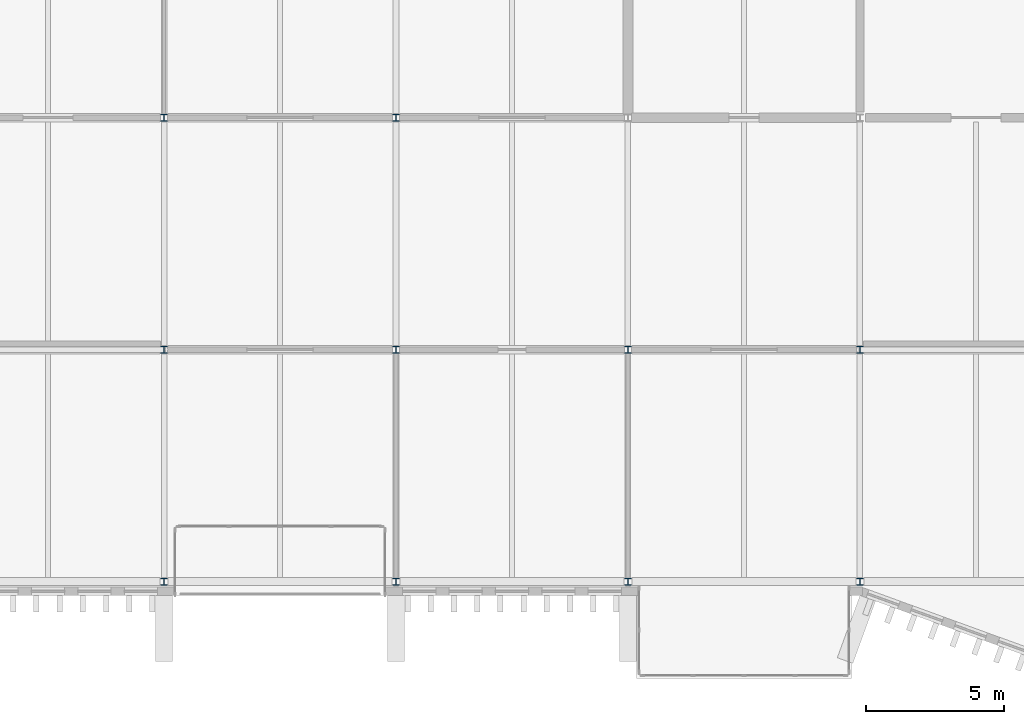
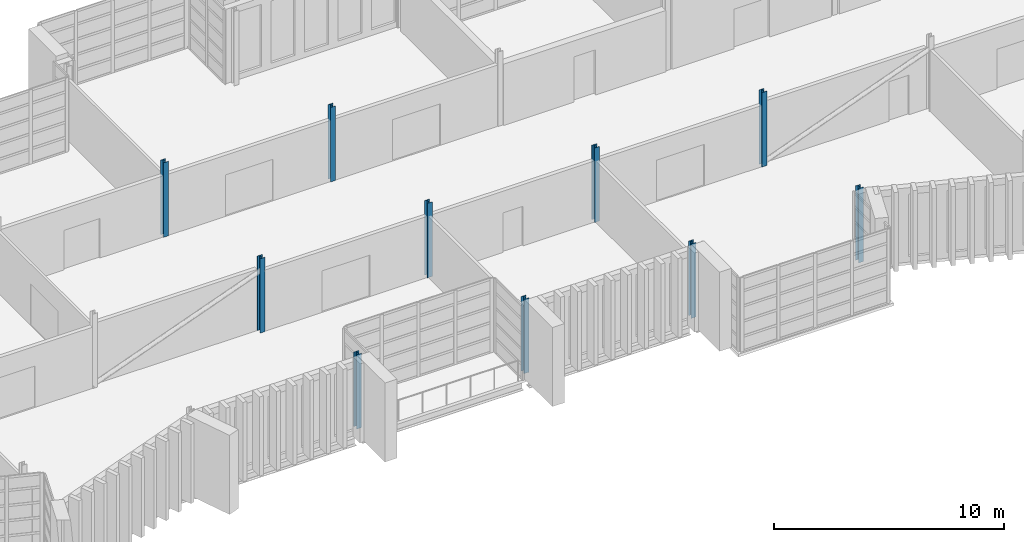
# One storey, part 6 of 88: 10 columns.
"""IFC4 building model written with IfcOpenShell, lengths in metres."""

from ifc_helpers import new_model, si_unit, direction, frame, origin, origin_2d, place, context, subcontext, project, spatial, i_section, extrude, material, material_profile, profile_set, type_object, element, save


model = new_model("IFC4")

# Units and contexts
model_context = context("Model", 3, precision=1e-05, world=origin(), true_north=direction((0.0, 1.0)))
body_context = subcontext(model_context, "Body", "Model", "MODEL_VIEW")
ifc_project = project(units=[si_unit("LENGTHUNIT", "METRE"), si_unit("AREAUNIT", "SQUARE_METRE"), si_unit("VOLUMEUNIT", "CUBIC_METRE"), si_unit("PLANEANGLEUNIT", "RADIAN"), si_unit("MASSUNIT", "GRAM", prefix="KILO")], contexts=[model_context])

# Site, building, storey
site_placement = place(None, origin())
site = spatial("IfcSite", under=ifc_project, at=site_placement, CompositionType="ELEMENT")
building_placement = place(site_placement, origin())
building = spatial("IfcBuilding", under=site, at=building_placement, Name="Cresset Court Congress Hotel", CompositionType="ELEMENT")
storey_placement = place(building_placement, frame((0.0, 0.0, 14.39990234375)))
storey = spatial("IfcBuildingStorey", under=building, at=storey_placement, Name="L03", CompositionType="ELEMENT", Elevation=14.39990234375)

# Columns
ifc_material = material(Name="Structural steel Q355B", Category="steel")
ifc_material_profile = material_profile(ifc_material, i_section(OverallWidth=0.25, OverallDepth=0.25, WebThickness=0.009033203125, FlangeThickness=0.013916015625, FilletRadius=0.012939453125, at=origin_2d()), Name="HW250x250x9x14")
ifc_profile_set = profile_set([ifc_material_profile], Name="Structural steel Q355B")
column_type = type_object("IfcColumnType", Name="Steel column HW250x250x9x14", PredefinedType="COLUMN", material=ifc_profile_set)
for number, where, z_axis, x_axis, name in (
    (1, (75.60009765625, 0.0, 0.0), (0.0, 0.0, 1.0), (1.0, 0.0, 0.0), "B.col.L03.10A"),
    (2, (75.60009765625, 8.39990234375, 0.0), (0.0, 0.0, 1.0), (1.0, 0.0, 0.0), "B.col.L03.10B"),
    (3, (75.60009765625, 16.800048828125, 0.0), (0.0, 0.0, 1.0), (1.0, 0.0, 0.0), "B.col.L03.10C"),
    (4, (84.0, 0.0, 0.0), (0.0, 0.0, 1.0), (1.0, 0.0, 0.0), "B.col.L03.11A"),
    (5, (84.0, 8.39990234375, 0.0), (0.0, 0.0, 1.0), (1.0, 0.0, 0.0), "B.col.L03.11B"),
    (6, (84.0, 16.800048828125, 0.0), (0.0, 0.0, 1.0), (1.0, 0.0, 0.0), "B.col.L03.11C"),
    (7, (92.39990234375, 0.0, 0.0), (0.0, 0.0, 1.0), (1.0, 0.0, 0.0), "B.col.L03.12A"),
    (8, (92.39990234375, 8.39990234375, 0.0), (0.0, 0.0, 1.0), (1.0, 0.0, 0.0), "B.col.L03.12B"),
    (9, (100.800048828125, 0.0, 0.0), (0.0, 0.0, 1.0), (1.0, 0.0, 0.0), "B.col.L03.13A"),
    (10, (100.800048828125, 8.39990234375, 0.0), (0.0, 0.0, 1.0), (1.0, 0.0, 0.0), "B.col.L03.13B"),
):
    element("IfcColumn", number, at=place(storey_placement, frame(where, z_axis=z_axis, x_axis=x_axis)), inside=storey, type_object=column_type, Name=name, PredefinedType="COLUMN", context=body_context, shape_type="SweptSolid", body=[
        extrude(i_section(OverallWidth=0.25, OverallDepth=0.25, WebThickness=0.009033203125, FlangeThickness=0.013916015625, FilletRadius=0.012939453125, at=origin_2d()), origin(), (0.0, 0.0, 1.0), 3.9501953125),
    ])

save(model, "model.ifc")
